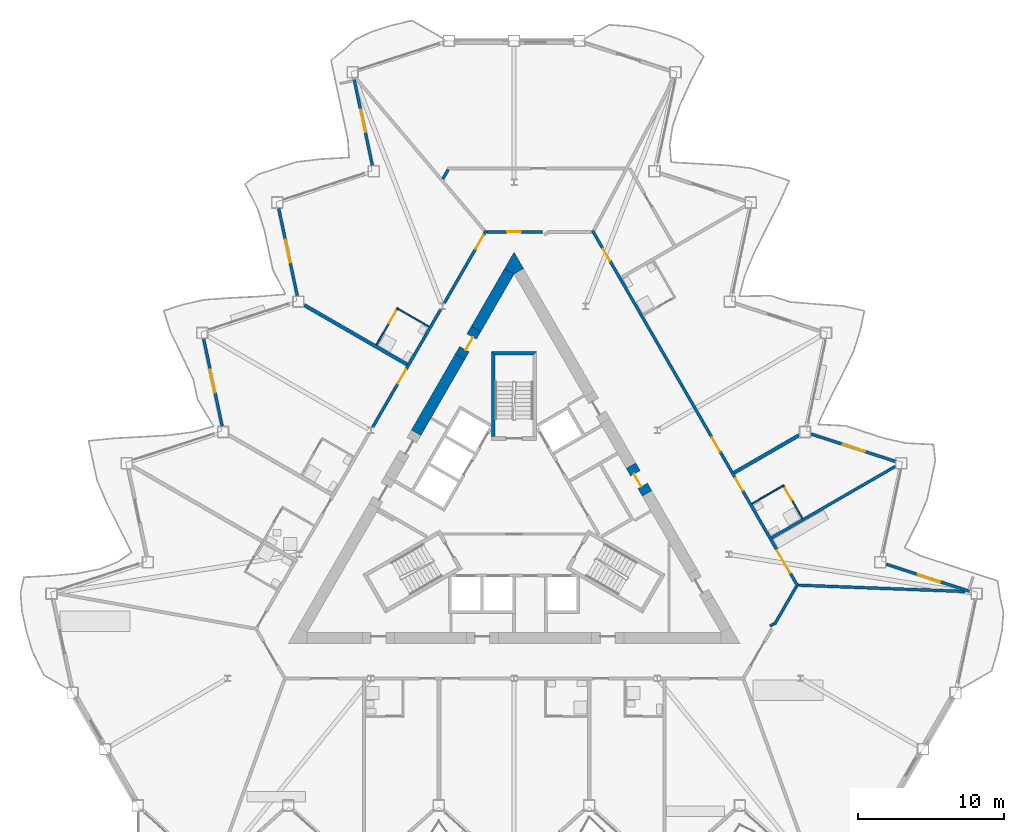
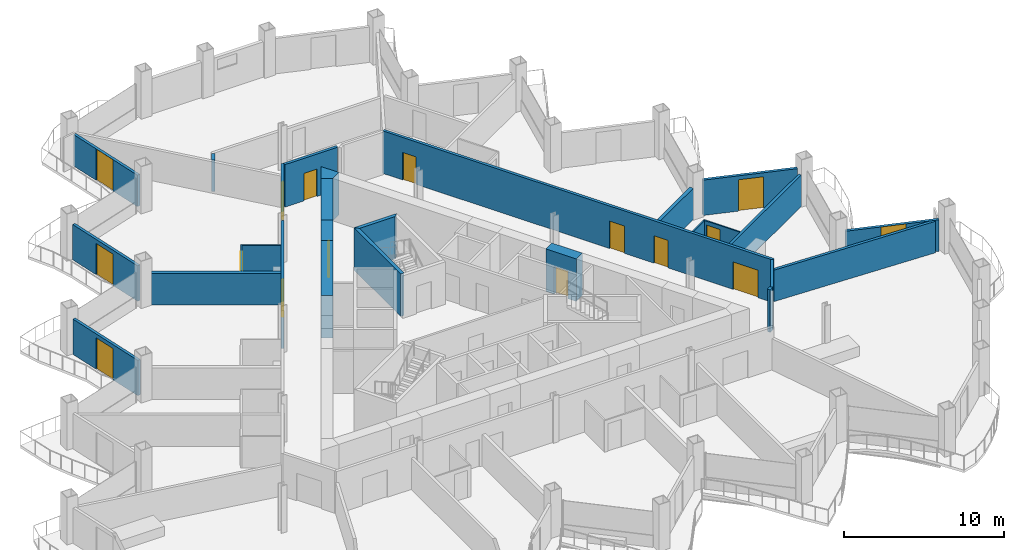
# One storey, part 14 of 23: 27 walls, 16 doors, 16 openings.
"""IFC4 building model written with IfcOpenShell, lengths in metres."""

from ifc_helpers import new_model, si_unit, direction, frame, frame_2d, origin, place, context, subcontext, project, spatial, polyline, rectangle, outline, extrude, material, layer, layer_set, type_object, element, fill, save


model = new_model("IFC4")

# Units and contexts
model_context = context("Model", 3, precision=1e-05, world=origin(), true_north=direction((0.0, 1.0)))
body_context = subcontext(model_context, "Body", "Model", "MODEL_VIEW")
ifc_project = project(units=[si_unit("LENGTHUNIT", "METRE"), si_unit("AREAUNIT", "SQUARE_METRE"), si_unit("VOLUMEUNIT", "CUBIC_METRE"), si_unit("PLANEANGLEUNIT", "RADIAN"), si_unit("MASSUNIT", "GRAM", prefix="KILO")], contexts=[model_context])

# Site, building, storey
site_placement = place(None, origin())
site = spatial("IfcSite", under=ifc_project, at=site_placement, CompositionType="ELEMENT")
building_placement = place(site_placement, origin())
building = spatial("IfcBuilding", under=site, at=building_placement, Name="Cormorant Prow Tower", CompositionType="ELEMENT")
storey_placement = place(building_placement, frame((0.0, 0.0, 212.39990234375)))
storey = spatial("IfcBuildingStorey", under=building, at=storey_placement, Name="L47", CompositionType="ELEMENT", Elevation=212.39990234375)

# Walls
ifc_material_1 = material(Name="Concrete 8000 psi", Category="concrete")
ifc_layer_1 = layer(ifc_material_1, 0.75)
ifc_layer_set_1 = layer_set([ifc_layer_1], Name="Concrete 8000 psi")
wall_type_1 = type_object("IfcWallType", Name="Core shear wall 750", PredefinedType="SHEAR", material=ifc_layer_set_1)
wall_1_placement = place(storey_placement, frame((-3.70849609375, 10.724365234375, 0.0), z_axis=(0.0, 0.0, 1.0), x_axis=(-0.500021737671, -0.866012853171, 0.0)))
element("IfcWall", 1, at=wall_1_placement, inside=storey, type_object=wall_type_1, Name="Core wall", PredefinedType="SHEAR", context=body_context, shape_type="SweptSolid", body=[
    extrude(rectangle(XDim=6.025634765625, YDim=0.75, at=frame_2d((3.0126953125, 0.0))), origin(), (0.0, 0.0, 1.0), 3.25),
])
wall_2_placement = place(storey_placement, frame((-0.32470703125, 16.58544921875, 0.0), z_axis=(0.0, 0.0, 1.0), x_axis=(-0.499984617099, -0.866034284924, 0.0)))
element("IfcWall", 2, at=wall_2_placement, inside=storey, type_object=wall_type_1, Name="Core wall", PredefinedType="SHEAR", context=body_context, shape_type="SweptSolid", body=[
    extrude(rectangle(XDim=4.568115234375, YDim=0.75, at=frame_2d((2.2841796875, 0.0))), origin(), (0.0, 0.0, 1.0), 3.25),
])
wall_3_placement = place(storey_placement, origin())
element("IfcWall", 3, at=wall_3_placement, inside=storey, type_object=wall_type_1, Name="Core wall corner", PredefinedType="SHEAR", context=body_context, shape_type="SweptSolid", body=[
    extrude(outline(polyline([(-0.6494140625, 16.77294921875), (0.0, 17.89794921875), (0.6494140625, 16.77294921875), (0.0, 16.39794921875), (-0.6494140625, 16.77294921875)])), origin(), (0.0, 0.0, 1.0), 3.25),
])

# Wall, opening, door
wall_4_placement = place(storey_placement, frame((9.125244140625, 1.342529296875, 0.0), z_axis=(0.0, 0.0, 1.0), x_axis=(-0.499946605688, 0.86605622881, 0.0)))
wall_4 = element("IfcWall", 4, at=wall_4_placement, inside=storey, type_object=wall_type_1, Name="Core wall door panel", PredefinedType="SHEAR", context=body_context, shape_type="SweptSolid", body=[
    extrude(rectangle(XDim=2.199951171875, YDim=0.75, at=frame_2d((1.10009765625, 0.0))), origin(), (0.0, 0.0, 1.0), 3.25),
])
opening_1_placement = place(wall_4_placement, frame((0.60009765625, 0.0, 0.0)))
opening_1 = element("IfcOpeningElement", 5, at=opening_1_placement, cuts=wall_4, Name="Opening L47-C18", PredefinedType="OPENING", context=body_context, shape_type="SweptSolid", body=[
    extrude(rectangle(XDim=1.0, YDim=2.10009765625, at=frame_2d((0.5, 1.050048828125))), frame((0.0, 0.385009765625, 0.0), z_axis=(0.0, -1.0, 0.0), x_axis=(1.0, 0.0, 0.0)), (0.0, 0.0, 1.0), 0.77001953125),
])
ifc_material_2 = material(Name="Painted steel", Category="steel")
door_type_1 = type_object("IfcDoorType", Name="Service door 1000x2100", OperationType="NOTDEFINED", PredefinedType="DOOR", material=ifc_material_2)
door_1_placement = place(opening_1_placement, origin())
door_1 = element("IfcDoor", 6, at=door_1_placement, inside=storey, type_object=door_type_1, Name="Core door, Housekeeping store", OperationType="SINGLE_SWING_RIGHT", OverallHeight=2.10009765625, OverallWidth=1.0, PredefinedType="DOOR", context=body_context, shape_type="SweptSolid", body=[
    extrude(rectangle(XDim=1.0, YDim=2.10009765625, at=frame_2d((0.5, 1.050048828125))), frame((0.0, 0.1298828125, 0.0), z_axis=(0.0, -1.0, 0.0), x_axis=(1.0, 0.0, 0.0)), (0.0, 0.0, 1.0), 0.050048828125),
])
fill(opening_1, door_1)

wall_5_placement = place(storey_placement, frame((-2.608642578125, 12.62939453125, 0.0), z_axis=(0.0, 0.0, 1.0), x_axis=(-0.500077893725, -0.86598042715, 0.0)))
wall_5 = element("IfcWall", 7, at=wall_5_placement, inside=storey, type_object=wall_type_1, Name="Core wall door panel", PredefinedType="SHEAR", context=body_context, shape_type="SweptSolid", body=[
    extrude(rectangle(XDim=2.199951171875, YDim=0.75, at=frame_2d((1.10009765625, 0.0))), origin(), (0.0, 0.0, 1.0), 3.25),
])
opening_2_placement = place(wall_5_placement, frame((0.60009765625, 0.0, 0.0)))
opening_2 = element("IfcOpeningElement", 8, at=opening_2_placement, cuts=wall_5, Name="Opening L47-C21", PredefinedType="OPENING", context=body_context, shape_type="SweptSolid", body=[
    extrude(rectangle(XDim=1.0, YDim=2.10009765625, at=frame_2d((0.5, 1.050048828125))), frame((0.0, 0.385009765625, 0.0), z_axis=(0.0, -1.0, 0.0), x_axis=(1.0, 0.0, 0.0)), (0.0, 0.0, 1.0), 0.77001953125),
])
door_2_placement = place(opening_2_placement, origin())
door_2 = element("IfcDoor", 9, at=door_2_placement, inside=storey, type_object=door_type_1, Name="Core door, Refuse store", OperationType="SINGLE_SWING_LEFT", OverallHeight=2.10009765625, OverallWidth=1.0, PredefinedType="DOOR", context=body_context, shape_type="SweptSolid", body=[
    extrude(rectangle(XDim=1.0, YDim=2.10009765625, at=frame_2d((0.5, 1.050048828125))), frame((0.0, 0.1298828125, 0.0), z_axis=(0.0, -1.0, 0.0), x_axis=(1.0, 0.0, 0.0)), (0.0, 0.0, 1.0), 0.050048828125),
])
fill(opening_2, door_2)

# Wall, openings, doors
ifc_material_3 = material(Name="Gypsum board corridor wall")
ifc_layer_2 = layer(ifc_material_3, 0.199951171875)
ifc_layer_set_2 = layer_set([ifc_layer_2], Name="Gypsum board corridor wall")
wall_type_2 = type_object("IfcWallType", Name="Corridor wall 200", PredefinedType="PARTITIONING", material=ifc_layer_set_2)
wall_6_placement = place(storey_placement, frame((5.377197265625, 19.384521484375, 0.0), z_axis=(0.0, 0.0, 1.0), x_axis=(0.500000757641, -0.86602496636, 0.0)))
wall_6 = element("IfcWall", 10, at=wall_6_placement, inside=storey, type_object=wall_type_2, Name="Corridor wall", PredefinedType="PARTITIONING", context=body_context, shape_type="SweptSolid", body=[
    extrude(rectangle(XDim=28.19775390625, YDim=0.199951171875, at=frame_2d((14.098876953125, 0.0))), origin(), (0.0, 0.0, 1.0), 3.25),
])
opening_3_placement = place(wall_6_placement, frame((25.3447265625, 0.0, 0.0)))
opening_3 = element("IfcOpeningElement", 11, at=opening_3_placement, cuts=wall_6, Name="Opening L47-F10", PredefinedType="OPENING", context=body_context, shape_type="SweptSolid", body=[
    extrude(rectangle(XDim=1.800048828125, YDim=2.10009765625, at=frame_2d((0.89990234375, 1.050048828125))), frame((0.0, 0.10986328125, 0.0), z_axis=(0.0, -1.0, 0.0), x_axis=(1.0, 0.0, 0.0)), (0.0, 0.0, 1.0), 0.219970703125),
])
opening_4_placement = place(wall_6_placement, frame((19.620849609375, 0.0, 0.0)))
opening_4 = element("IfcOpeningElement", 12, at=opening_4_placement, cuts=wall_6, Name="Opening L47-F11", PredefinedType="OPENING", context=body_context, shape_type="SweptSolid", body=[
    extrude(rectangle(XDim=1.0, YDim=2.10009765625, at=frame_2d((0.5, 1.050048828125))), frame((0.0, 0.10986328125, 0.0), z_axis=(0.0, -1.0, 0.0), x_axis=(1.0, 0.0, 0.0)), (0.0, 0.0, 1.0), 0.219970703125),
])
opening_5_placement = place(wall_6_placement, frame((16.409423828125, 0.0, 0.0)))
opening_5 = element("IfcOpeningElement", 13, at=opening_5_placement, cuts=wall_6, Name="Opening L47-F13", PredefinedType="OPENING", context=body_context, shape_type="SweptSolid", body=[
    extrude(rectangle(XDim=1.10009765625, YDim=2.10009765625, at=frame_2d((0.550048828125, 1.050048828125))), frame((0.0, 0.10986328125, 0.0), z_axis=(0.0, -1.0, 0.0), x_axis=(1.0, 0.0, 0.0)), (0.0, 0.0, 1.0), 0.219970703125),
])
opening_6_placement = place(wall_6_placement, frame((1.4521484375, 0.0, 0.0)))
opening_6 = element("IfcOpeningElement", 14, at=opening_6_placement, cuts=wall_6, Name="Opening L47-F15", PredefinedType="OPENING", context=body_context, shape_type="SweptSolid", body=[
    extrude(rectangle(XDim=0.949951171875, YDim=2.10009765625, at=frame_2d((0.47509765625, 1.050048828125))), frame((0.0, 0.10986328125, 0.0), z_axis=(0.0, -1.0, 0.0), x_axis=(1.0, 0.0, 0.0)), (0.0, 0.0, 1.0), 0.219970703125),
])
ifc_material_4 = material(Name="Timber door leaf", Category="wood")
door_type_2 = type_object("IfcDoorType", Name="Double door 1800x2100", OperationType="DOUBLE_DOOR_SINGLE_SWING", PredefinedType="DOOR", material=ifc_material_4)
door_3_placement = place(opening_3_placement, origin())
door_3 = element("IfcDoor", 15, at=door_3_placement, inside=storey, type_object=door_type_2, Name="Library lounge door", OperationType="DOUBLE_DOOR_SINGLE_SWING", OverallHeight=2.10009765625, OverallWidth=1.800048828125, PredefinedType="DOOR", context=body_context, shape_type="SweptSolid", body=[
    extrude(rectangle(XDim=1.800048828125, YDim=2.10009765625, at=frame_2d((0.89990234375, 1.050048828125))), frame((0.0, 0.02490234375, 0.0), z_axis=(0.0, -1.0, 0.0), x_axis=(1.0, 0.0, 0.0)), (0.0, 0.0, 1.0), 0.050048828125),
])
fill(opening_3, door_3)
ifc_material_5 = material(Name="Timber door leaf", Category="wood")
door_type_3 = type_object("IfcDoorType", Name="Flat or room entrance door 1000x2100", OperationType="NOTDEFINED", PredefinedType="DOOR", material=ifc_material_5)
door_4_placement = place(opening_4_placement, origin())
door_4 = element("IfcDoor", 16, at=door_4_placement, inside=storey, type_object=door_type_3, Name="Guest room door", OperationType="SINGLE_SWING_LEFT", OverallHeight=2.10009765625, OverallWidth=1.0, PredefinedType="DOOR", context=body_context, shape_type="SweptSolid", body=[
    extrude(rectangle(XDim=1.0, YDim=2.10009765625, at=frame_2d((0.5, 1.050048828125))), frame((0.0, 0.02490234375, 0.0), z_axis=(0.0, -1.0, 0.0), x_axis=(1.0, 0.0, 0.0)), (0.0, 0.0, 1.0), 0.050048828125),
])
fill(opening_4, door_4)
ifc_material_6 = material(Name="Timber door leaf", Category="wood")
door_type_4 = type_object("IfcDoorType", Name="Store door 950x2100", OperationType="NOTDEFINED", PredefinedType="DOOR", material=ifc_material_6)
door_5_placement = place(opening_6_placement, origin())
door_5 = element("IfcDoor", 17, at=door_5_placement, inside=storey, type_object=door_type_4, Name="Housekeeping room door", OperationType="SINGLE_SWING_RIGHT", OverallHeight=2.10009765625, OverallWidth=0.949951171875, PredefinedType="DOOR", context=body_context, shape_type="SweptSolid", body=[
    extrude(rectangle(XDim=0.949951171875, YDim=2.10009765625, at=frame_2d((0.47509765625, 1.050048828125))), frame((0.0, 0.02490234375, 0.0), z_axis=(0.0, -1.0, 0.0), x_axis=(1.0, 0.0, 0.0)), (0.0, 0.0, 1.0), 0.050048828125),
])
fill(opening_6, door_5)
ifc_material_7 = material(Name="Timber door leaf", Category="wood")
door_type_5 = type_object("IfcDoorType", Name="Suite entrance door 1100x2100", OperationType="NOTDEFINED", PredefinedType="DOOR", material=ifc_material_7)
door_6_placement = place(opening_5_placement, origin())
door_6 = element("IfcDoor", 18, at=door_6_placement, inside=storey, type_object=door_type_5, Name="Executive suite bedroom door", OperationType="SINGLE_SWING_LEFT", OverallHeight=2.10009765625, OverallWidth=1.10009765625, PredefinedType="DOOR", context=body_context, shape_type="SweptSolid", body=[
    extrude(rectangle(XDim=1.10009765625, YDim=2.10009765625, at=frame_2d((0.550048828125, 1.050048828125))), frame((0.0, 0.02490234375, 0.0), z_axis=(0.0, -1.0, 0.0), x_axis=(1.0, 0.0, 0.0)), (0.0, 0.0, 1.0), 0.050048828125),
])
fill(opening_5, door_6)

# Wall, opening, door
wall_7_placement = place(storey_placement, frame((-9.705078125, 5.88818359375, 0.0), z_axis=(0.0, 0.0, 1.0), x_axis=(0.50000393355, 0.866023132736, 0.0)))
wall_7 = element("IfcWall", 19, at=wall_7_placement, inside=storey, type_object=wall_type_2, Name="Corridor wall", PredefinedType="PARTITIONING", context=body_context, shape_type="SweptSolid", body=[
    extrude(rectangle(XDim=9.3349609375, YDim=0.199951171875, at=frame_2d((4.66748046875, 0.0))), origin(), (0.0, 0.0, 1.0), 3.25),
])
opening_7_placement = place(wall_7_placement, frame((3.464599609375, 0.0, 0.0)))
opening_7 = element("IfcOpeningElement", 20, at=opening_7_placement, cuts=wall_7, Name="Opening L47-F21", PredefinedType="OPENING", context=body_context, shape_type="SweptSolid", body=[
    extrude(rectangle(XDim=1.10009765625, YDim=2.10009765625, at=frame_2d((0.550048828125, 1.050048828125))), frame((0.0, 0.10986328125, 0.0), z_axis=(0.0, -1.0, 0.0), x_axis=(1.0, 0.0, 0.0)), (0.0, 0.0, 1.0), 0.219970703125),
])
door_7_placement = place(opening_7_placement, origin())
door_7 = element("IfcDoor", 21, at=door_7_placement, inside=storey, type_object=door_type_5, Name="Junior suite door", OperationType="SINGLE_SWING_RIGHT", OverallHeight=2.10009765625, OverallWidth=1.10009765625, PredefinedType="DOOR", context=body_context, shape_type="SweptSolid", body=[
    extrude(rectangle(XDim=1.10009765625, YDim=2.10009765625, at=frame_2d((0.550048828125, 1.050048828125))), frame((0.0, 0.02490234375, 0.0), z_axis=(0.0, -1.0, 0.0), x_axis=(1.0, 0.0, 0.0)), (0.0, 0.0, 1.0), 0.050048828125),
])
fill(opening_7, door_7)

wall_8_placement = place(storey_placement, frame((-4.791015625, 14.39990234375, 0.0), z_axis=(0.0, 0.0, 1.0), x_axis=(0.50000762079, 0.866021003874, 0.0)))
wall_8 = element("IfcWall", 22, at=wall_8_placement, inside=storey, type_object=wall_type_2, Name="Corridor wall", PredefinedType="PARTITIONING", context=body_context, shape_type="SweptSolid", body=[
    extrude(rectangle(XDim=5.755859375, YDim=0.199951171875, at=frame_2d((2.8779296875, 0.0))), origin(), (0.0, 0.0, 1.0), 3.25),
])
opening_8_placement = place(wall_8_placement, frame((4.304443359375, 0.0, 0.0)))
opening_8 = element("IfcOpeningElement", 23, at=opening_8_placement, cuts=wall_8, Name="Opening L47-F19", PredefinedType="OPENING", context=body_context, shape_type="SweptSolid", body=[
    extrude(rectangle(XDim=1.10009765625, YDim=2.10009765625, at=frame_2d((0.550048828125, 1.050048828125))), frame((0.0, 0.10986328125, 0.0), z_axis=(0.0, -1.0, 0.0), x_axis=(1.0, 0.0, 0.0)), (0.0, 0.0, 1.0), 0.219970703125),
])
door_8_placement = place(opening_8_placement, origin())
door_8 = element("IfcDoor", 24, at=door_8_placement, inside=storey, type_object=door_type_5, Name="Executive suite bedroom door", OperationType="SINGLE_SWING_RIGHT", OverallHeight=2.10009765625, OverallWidth=1.10009765625, PredefinedType="DOOR", context=body_context, shape_type="SweptSolid", body=[
    extrude(rectangle(XDim=1.10009765625, YDim=2.10009765625, at=frame_2d((0.550048828125, 1.050048828125))), frame((0.0, 0.02490234375, 0.0), z_axis=(0.0, -1.0, 0.0), x_axis=(1.0, 0.0, 0.0)), (0.0, 0.0, 1.0), 0.050048828125),
])
fill(opening_8, door_8)

wall_9_placement = place(storey_placement, frame((-1.863037109375, 19.2978515625, 0.0), z_axis=(0.0, 0.0, 1.0), x_axis=(1.0, 0.0, 0.0)))
wall_9 = element("IfcWall", 25, at=wall_9_placement, inside=storey, type_object=wall_type_2, Name="Corridor wall", PredefinedType="PARTITIONING", context=body_context, shape_type="SweptSolid", body=[
    extrude(rectangle(XDim=3.825927734375, YDim=0.199951171875, at=frame_2d((1.9130859375, 0.0))), origin(), (0.0, 0.0, 1.0), 3.25),
])
opening_9_placement = place(wall_9_placement, frame((1.38623046875, 0.0, 0.0)))
opening_9 = element("IfcOpeningElement", 26, at=opening_9_placement, cuts=wall_9, Name="Opening L47-F17", PredefinedType="OPENING", context=body_context, shape_type="SweptSolid", body=[
    extrude(rectangle(XDim=0.949951171875, YDim=2.10009765625, at=frame_2d((0.47509765625, 1.050048828125))), frame((0.0, 0.10986328125, 0.0), z_axis=(0.0, -1.0, 0.0), x_axis=(1.0, 0.0, 0.0)), (0.0, 0.0, 1.0), 0.219970703125),
])
door_9_placement = place(opening_9_placement, origin())
door_9 = element("IfcDoor", 27, at=door_9_placement, inside=storey, type_object=door_type_4, Name="Guest pantry door", OperationType="SINGLE_SWING_RIGHT", OverallHeight=2.10009765625, OverallWidth=0.949951171875, PredefinedType="DOOR", context=body_context, shape_type="SweptSolid", body=[
    extrude(rectangle(XDim=0.949951171875, YDim=2.10009765625, at=frame_2d((0.47509765625, 1.050048828125))), frame((0.0, 0.02490234375, 0.0), z_axis=(0.0, -1.0, 0.0), x_axis=(1.0, 0.0, 0.0)), (0.0, 0.0, 1.0), 0.050048828125),
])
fill(opening_9, door_9)

# Walls
wall_10_placement = place(storey_placement, frame((17.875, -7.635498046875, 0.0), z_axis=(0.0, 0.0, 1.0), x_axis=(0.499952404951, 0.866052881055, 0.0)))
element("IfcWall", 28, at=wall_10_placement, inside=storey, type_object=wall_type_2, Name="Corridor wall", PredefinedType="PARTITIONING", context=body_context, shape_type="SweptSolid", body=[
    extrude(rectangle(XDim=3.002197265625, YDim=0.199951171875, at=frame_2d((1.5009765625, 0.0))), origin(), (0.0, 0.0, 1.0), 3.25),
])
wall_11_placement = place(storey_placement, frame((17.56982421875, -7.75390625, 0.0), z_axis=(0.0, 0.0, 1.0), x_axis=(0.866054481515, 0.499949632511, 0.0)))
element("IfcWall", 29, at=wall_11_placement, inside=storey, type_object=wall_type_2, Name="Corridor wall", PredefinedType="PARTITIONING", context=body_context, shape_type="SweptSolid", body=[
    extrude(rectangle(XDim=0.31005859375, YDim=0.199951171875, at=frame_2d((0.155029296875, 0.0))), origin(), (0.0, 0.0, 1.0), 3.25),
])
ifc_material_8 = material(Name="Gypsum board demising wall")
ifc_layer_3 = layer(ifc_material_8, 0.199951171875)
ifc_layer_set_3 = layer_set([ifc_layer_3], Name="Gypsum board demising wall")
wall_type_3 = type_object("IfcWallType", Name="Demising wall 200", PredefinedType="PARTITIONING", material=ifc_layer_set_3)
wall_12_placement = place(storey_placement, frame((19.52587890625, -4.95263671875, 0.0), z_axis=(0.0, 0.0, 1.0), x_axis=(0.999279155663, -0.037962732475, 0.0)))
element("IfcWall", 30, at=wall_12_placement, inside=storey, type_object=wall_type_3, Name="Demising wall", PredefinedType="PARTITIONING", context=body_context, shape_type="SweptSolid", body=[
    extrude(rectangle(XDim=11.421630859375, YDim=0.199951171875, at=frame_2d((5.7109375, 0.0))), origin(), (0.0, 0.0, 1.0), 2.404296875),
])
wall_13_placement = place(storey_placement, frame((17.668701171875, -1.705322265625, 0.0), z_axis=(0.0, 0.0, 1.0), x_axis=(0.866032243237, 0.499988153533, 0.0)))
element("IfcWall", 31, at=wall_13_placement, inside=storey, type_object=wall_type_3, Name="Demising wall", PredefinedType="PARTITIONING", context=body_context, shape_type="SweptSolid", body=[
    extrude(rectangle(XDim=9.809814453125, YDim=0.199951171875, at=frame_2d((4.90478515625, 0.0))), origin(), (0.0, 0.0, 1.0), 2.404296875),
])
wall_14_placement = place(storey_placement, frame((-4.893798828125, 22.921630859375, 0.0), z_axis=(0.0, 0.0, 1.0), x_axis=(0.500084850412, 0.865976409834, 0.0)))
element("IfcWall", 32, at=wall_14_placement, inside=storey, type_object=wall_type_3, Name="Demising wall", PredefinedType="PARTITIONING", context=body_context, shape_type="SweptSolid", body=[
    extrude(rectangle(XDim=0.738525390625, YDim=0.199951171875, at=frame_2d((0.369140625, 0.0))), origin(), (0.0, 0.0, 1.0), 2.404296875),
])

# Wall, opening, door
ifc_material_9 = material(Name="Gypsum board partition")
ifc_layer_4 = layer(ifc_material_9, 0.10009765625)
ifc_layer_set_4 = layer_set([ifc_layer_4], Name="Gypsum board partition")
wall_type_4 = type_object("IfcWallType", Name="Internal partition 100", PredefinedType="PARTITIONING", material=ifc_layer_set_4)
wall_15_placement = place(storey_placement, frame((-9.439697265625, 11.547607421875, 0.0), z_axis=(0.0, 0.0, 1.0), x_axis=(0.499963291492, 0.866046596414, 0.0)))
wall_15 = element("IfcWall", 33, at=wall_15_placement, inside=storey, type_object=wall_type_4, Name="Internal partition", PredefinedType="PARTITIONING", context=body_context, shape_type="SweptSolid", body=[
    extrude(rectangle(XDim=2.925048828125, YDim=0.10009765625, at=frame_2d((1.46240234375, 0.0))), origin(), (0.0, 0.0, 1.0), 2.404296875),
])
opening_10_placement = place(wall_15_placement, frame((1.72509765625, 0.0, 0.0)))
opening_10 = element("IfcOpeningElement", 34, at=opening_10_placement, cuts=wall_15, Name="Opening L47-F20", PredefinedType="OPENING", context=body_context, shape_type="SweptSolid", body=[
    extrude(rectangle(XDim=0.949951171875, YDim=2.10009765625, at=frame_2d((0.47509765625, 1.050048828125))), frame((0.0, 0.06005859375, 0.0), z_axis=(0.0, -1.0, 0.0), x_axis=(1.0, 0.0, 0.0)), (0.0, 0.0, 1.0), 0.1201171875),
])
ifc_material_10 = material(Name="Timber door leaf", Category="wood")
door_type_6 = type_object("IfcDoorType", Name="Bathroom door 950x2100", OperationType="NOTDEFINED", PredefinedType="DOOR", material=ifc_material_10)
door_10_placement = place(opening_10_placement, origin())
door_10 = element("IfcDoor", 35, at=door_10_placement, inside=storey, type_object=door_type_6, Name="Executive suite bedroom door", OperationType="SINGLE_SWING_RIGHT", OverallHeight=2.10009765625, OverallWidth=0.949951171875, PredefinedType="DOOR", context=body_context, shape_type="SweptSolid", body=[
    extrude(rectangle(XDim=0.949951171875, YDim=2.10009765625, at=frame_2d((0.47509765625, 1.050048828125))), frame((0.0, 0.02490234375, 0.0), z_axis=(0.0, -1.0, 0.0), x_axis=(1.0, 0.0, 0.0)), (0.0, 0.0, 1.0), 0.050048828125),
])
fill(opening_10, door_10)

wall_16_placement = place(storey_placement, frame((18.458740234375, 1.92626953125, 0.0), z_axis=(0.0, 0.0, 1.0), x_axis=(0.499953715521, -0.866052124492, 0.0)))
wall_16 = element("IfcWall", 36, at=wall_16_placement, inside=storey, type_object=wall_type_4, Name="Internal partition", PredefinedType="PARTITIONING", context=body_context, shape_type="SweptSolid", body=[
    extrude(rectangle(XDim=2.650146484375, YDim=0.10009765625, at=frame_2d((1.3251953125, 0.0))), origin(), (0.0, 0.0, 1.0), 2.404296875),
])
opening_11_placement = place(wall_16_placement, frame((0.25, 0.0, 0.0)))
opening_11 = element("IfcOpeningElement", 37, at=opening_11_placement, cuts=wall_16, Name="Opening L47-F12", PredefinedType="OPENING", context=body_context, shape_type="SweptSolid", body=[
    extrude(rectangle(XDim=0.949951171875, YDim=2.10009765625, at=frame_2d((0.47509765625, 1.050048828125))), frame((0.0, 0.06005859375, 0.0), z_axis=(0.0, -1.0, 0.0), x_axis=(1.0, 0.0, 0.0)), (0.0, 0.0, 1.0), 0.1201171875),
])
door_11_placement = place(opening_11_placement, origin())
door_11 = element("IfcDoor", 38, at=door_11_placement, inside=storey, type_object=door_type_6, Name="Guest room door", OperationType="SINGLE_SWING_LEFT", OverallHeight=2.10009765625, OverallWidth=0.949951171875, PredefinedType="DOOR", context=body_context, shape_type="SweptSolid", body=[
    extrude(rectangle(XDim=0.949951171875, YDim=2.10009765625, at=frame_2d((0.47509765625, 1.050048828125))), frame((0.0, 0.02490234375, 0.0), z_axis=(0.0, -1.0, 0.0), x_axis=(1.0, 0.0, 0.0)), (0.0, 0.0, 1.0), 0.050048828125),
])
fill(opening_11, door_11)

# Walls
for number, where, z_axis, x_axis, name in (
    (39, (16.31884765625, 0.6328125, 0.0), (0.0, 0.0, 1.0), (0.865989751695, 0.500061746146, 0.0), "Internal partition"),
    (40, (-7.958984375, 14.012451171875, 0.0), (0.0, 0.0, 1.0), (0.866057815567, -0.499943856944, 0.0), "Internal partition"),
):
    element("IfcWall", number, at=place(storey_placement, frame(where, z_axis=z_axis, x_axis=x_axis)), inside=storey, type_object=wall_type_4, Name=name, PredefinedType="PARTITIONING", context=body_context, shape_type="SweptSolid", body=[
        extrude(rectangle(XDim=2.449951171875, YDim=0.10009765625, at=frame_2d((1.22509765625, 0.0))), origin(), (0.0, 0.0, 1.0), 2.404296875),
    ])
ifc_material_11 = material(Name="Concrete 8000 psi", Category="concrete")
ifc_layer_5 = layer(ifc_material_11, 0.25)
ifc_layer_set_5 = layer_set([ifc_layer_5], Name="Concrete 8000 psi")
wall_type_5 = type_object("IfcWallType", Name="Stair wall 250", PredefinedType="SHEAR", material=ifc_layer_set_5)
wall_17_placement = place(storey_placement, origin())
element("IfcWall", 41, at=wall_17_placement, inside=storey, type_object=wall_type_5, Name="Stair ST3 enclosure wall (end)", PredefinedType="SHEAR", context=body_context, shape_type="SweptSolid", body=[
    extrude(outline(polyline([(1.5439453125, 11.0869140625), (-1.5439453125, 11.0869140625), (-1.2939453125, 10.8369140625), (1.2939453125, 10.8369140625), (1.5439453125, 11.0869140625)])), origin(), (0.0, 0.0, 1.0), 3.25),
])
wall_18_placement = place(storey_placement, origin())
element("IfcWall", 42, at=wall_18_placement, inside=storey, type_object=wall_type_5, Name="Stair ST3 enclosure wall (flank)", PredefinedType="SHEAR", context=body_context, shape_type="SweptSolid", body=[
    extrude(outline(polyline([(-1.2939453125, 10.8369140625), (-1.5439453125, 11.0869140625), (-1.5439453125, 5.23681640625), (-1.2939453125, 5.23681640625), (-1.2939453125, 10.8369140625)])), origin(), (0.0, 0.0, 1.0), 3.25),
])
ifc_material_12 = material(Name="Acoustic gypsum party wall")
ifc_layer_6 = layer(ifc_material_12, 0.25)
ifc_layer_set_6 = layer_set([ifc_layer_6], Name="Acoustic gypsum party wall")
wall_type_6 = type_object("IfcWallType", Name="Suite party wall 250", PredefinedType="PARTITIONING", material=ifc_layer_set_6)
wall_19_placement = place(storey_placement, frame((-14.389892578125, 14.26123046875, 0.0), z_axis=(0.0, 0.0, 1.0), x_axis=(0.86603182394, -0.4999888798, 0.0)))
element("IfcWall", 43, at=wall_19_placement, inside=storey, type_object=wall_type_6, Name="Suite party wall", PredefinedType="PARTITIONING", context=body_context, shape_type="SweptSolid", body=[
    extrude(rectangle(XDim=8.143798828125, YDim=0.25, at=frame_2d((4.07177734375, 0.0))), origin(), (0.0, 0.0, 1.0), 2.404296875),
])
wall_20_placement = place(storey_placement, frame((15.091064453125, 2.759521484375, 0.0), z_axis=(0.0, 0.0, 1.0), x_axis=(0.866019147368, 0.500010836275, 0.0)))
element("IfcWall", 44, at=wall_20_placement, inside=storey, type_object=wall_type_6, Name="Suite party wall", PredefinedType="PARTITIONING", context=body_context, shape_type="SweptSolid", body=[
    extrude(rectangle(XDim=5.154296875, YDim=0.25, at=frame_2d((2.5771484375, 0.0))), origin(), (0.0, 0.0, 1.0), 2.404296875),
])

# Wall, opening, door
ifc_material_13 = material(Name="Terracotta", Category="masonry")
ifc_layer_7 = layer(ifc_material_13, 0.199951171875)
ifc_layer_set_7 = layer_set([ifc_layer_7], Name="Terracotta")
wall_type_7 = type_object("IfcWallType", Name="Terracotta jamb wall 200", PredefinedType="SOLIDWALL", material=ifc_layer_set_7)
wall_21_placement = place(storey_placement, frame((31.240966796875, -5.36572265625, 0.0), z_axis=(0.0, 0.0, 1.0), x_axis=(-0.951052669354, 0.309028833792, 0.0)))
wall_21 = element("IfcWall", 45, at=wall_21_placement, inside=storey, type_object=wall_type_7, Name="Terracotta jamb wall ENE01", PredefinedType="SOLIDWALL", context=body_context, shape_type="SweptSolid", body=[
    extrude(rectangle(XDim=5.979736328125, YDim=0.199951171875, at=frame_2d((2.98974609375, 0.0))), origin(), (0.0, 0.0, 1.0), 2.404296875),
])
opening_12_placement = place(wall_21_placement, frame((2.100830078125, 0.0, 0.0)))
opening_12 = element("IfcOpeningElement", 46, at=opening_12_placement, cuts=wall_21, Name="Opening ED47.06", PredefinedType="OPENING", context=body_context, shape_type="SweptSolid", body=[
    extrude(rectangle(XDim=1.60009765625, YDim=2.39990234375, at=frame_2d((0.800048828125, 1.199951171875))), frame((0.0, 0.10986328125, 0.0), z_axis=(0.0, -1.0, 0.0), x_axis=(1.0, 0.0, 0.0)), (0.0, 0.0, 1.0), 0.219970703125),
])
ifc_material_14 = material(Name="Aluminium 6063-T6", Category="aluminium")
door_type_7 = type_object("IfcDoorType", Name="Balcony door 1600x2400", OperationType="DOUBLE_DOOR_SINGLE_SWING", PredefinedType="DOOR", material=ifc_material_14)
door_12_placement = place(opening_12_placement, origin())
door_12 = element("IfcDoor", 47, at=door_12_placement, inside=storey, type_object=door_type_7, Name="Balcony door ENE01 ED47.06", OperationType="DOUBLE_DOOR_SINGLE_SWING", OverallHeight=2.39990234375, OverallWidth=1.60009765625, PredefinedType="DOOR", context=body_context, shape_type="SweptSolid", body=[
    extrude(rectangle(XDim=1.60009765625, YDim=2.39990234375, at=frame_2d((0.800048828125, 1.199951171875))), frame((0.0, 0.02490234375, 0.0), z_axis=(0.0, -1.0, 0.0), x_axis=(1.0, 0.0, 0.0)), (0.0, 0.0, 1.0), 0.050048828125),
])
fill(opening_12, door_12)

wall_22_placement = place(storey_placement, frame((26.1494140625, 3.543212890625, 0.0), z_axis=(0.0, 0.0, 1.0), x_axis=(-0.951054506932, 0.309023178491, 0.0)))
wall_22 = element("IfcWall", 48, at=wall_22_placement, inside=storey, type_object=wall_type_7, Name="Terracotta jamb wall ENE03", PredefinedType="SOLIDWALL", context=body_context, shape_type="SweptSolid", body=[
    extrude(rectangle(XDim=6.056396484375, YDim=0.199951171875, at=frame_2d((3.0283203125, 0.0))), origin(), (0.0, 0.0, 1.0), 2.700927734375),
])
opening_13_placement = place(wall_22_placement, frame((2.168212890625, 0.0, 0.0)))
opening_13 = element("IfcOpeningElement", 49, at=opening_13_placement, cuts=wall_22, Name="Opening ED47.07", PredefinedType="OPENING", context=body_context, shape_type="SweptSolid", body=[
    extrude(rectangle(XDim=1.60009765625, YDim=2.39990234375, at=frame_2d((0.800048828125, 1.199951171875))), frame((0.0, 0.10986328125, 0.0), z_axis=(0.0, -1.0, 0.0), x_axis=(1.0, 0.0, 0.0)), (0.0, 0.0, 1.0), 0.219970703125),
])
door_13_placement = place(opening_13_placement, origin())
door_13 = element("IfcDoor", 50, at=door_13_placement, inside=storey, type_object=door_type_7, Name="Balcony door ENE03 ED47.07", OperationType="DOUBLE_DOOR_SINGLE_SWING", OverallHeight=2.39990234375, OverallWidth=1.60009765625, PredefinedType="DOOR", context=body_context, shape_type="SweptSolid", body=[
    extrude(rectangle(XDim=1.60009765625, YDim=2.39990234375, at=frame_2d((0.800048828125, 1.199951171875))), frame((0.0, 0.02490234375, 0.0), z_axis=(0.0, -1.0, 0.0), x_axis=(1.0, 0.0, 0.0)), (0.0, 0.0, 1.0), 0.050048828125),
])
fill(opening_13, door_13)

wall_23_placement = place(storey_placement, frame((-10.9736328125, 29.73828125, 0.0), z_axis=(0.0, 0.0, 1.0), x_axis=(0.207888934452, -0.978152437472, 0.0)))
wall_23 = element("IfcWall", 51, at=wall_23_placement, inside=storey, type_object=wall_type_7, Name="Terracotta jamb wall WNW01", PredefinedType="SOLIDWALL", context=body_context, shape_type="SweptSolid", body=[
    extrude(rectangle(XDim=5.998779296875, YDim=0.199951171875, at=frame_2d((2.99951171875, 0.0))), origin(), (0.0, 0.0, 1.0), 2.404296875),
])
opening_14_placement = place(wall_23_placement, frame((2.100830078125, 0.0, 0.0)))
opening_14 = element("IfcOpeningElement", 52, at=opening_14_placement, cuts=wall_23, Name="Opening ED47.11", PredefinedType="OPENING", context=body_context, shape_type="SweptSolid", body=[
    extrude(rectangle(XDim=1.60009765625, YDim=2.39990234375, at=frame_2d((0.800048828125, 1.199951171875))), frame((0.0, 0.10986328125, 0.0), z_axis=(0.0, -1.0, 0.0), x_axis=(1.0, 0.0, 0.0)), (0.0, 0.0, 1.0), 0.219970703125),
])
door_14_placement = place(opening_14_placement, origin())
door_14 = element("IfcDoor", 53, at=door_14_placement, inside=storey, type_object=door_type_7, Name="Balcony door WNW01 ED47.11", OperationType="DOUBLE_DOOR_SINGLE_SWING", OverallHeight=2.39990234375, OverallWidth=1.60009765625, PredefinedType="DOOR", context=body_context, shape_type="SweptSolid", body=[
    extrude(rectangle(XDim=1.60009765625, YDim=2.39990234375, at=frame_2d((0.800048828125, 1.199951171875))), frame((0.0, 0.02490234375, 0.0), z_axis=(0.0, -1.0, 0.0), x_axis=(1.0, 0.0, 0.0)), (0.0, 0.0, 1.0), 0.050048828125),
])
fill(opening_14, door_14)

wall_24_placement = place(storey_placement, frame((-16.146484375, 20.8896484375, 0.0), z_axis=(0.0, 0.0, 1.0), x_axis=(0.207912864597, -0.978147351238, 0.0)))
wall_24 = element("IfcWall", 54, at=wall_24_placement, inside=storey, type_object=wall_type_7, Name="Terracotta jamb wall WNW03", PredefinedType="SOLIDWALL", context=body_context, shape_type="SweptSolid", body=[
    extrude(rectangle(XDim=6.097900390625, YDim=0.199951171875, at=frame_2d((3.048828125, 0.0))), origin(), (0.0, 0.0, 1.0), 2.700927734375),
])
opening_15_placement = place(wall_24_placement, frame((2.183837890625, 0.0, 0.0)))
opening_15 = element("IfcOpeningElement", 55, at=opening_15_placement, cuts=wall_24, Name="Opening ED47.12", PredefinedType="OPENING", context=body_context, shape_type="SweptSolid", body=[
    extrude(rectangle(XDim=1.60009765625, YDim=2.39990234375, at=frame_2d((0.800048828125, 1.199951171875))), frame((0.0, 0.10986328125, 0.0), z_axis=(0.0, -1.0, 0.0), x_axis=(1.0, 0.0, 0.0)), (0.0, 0.0, 1.0), 0.219970703125),
])
door_15_placement = place(opening_15_placement, origin())
door_15 = element("IfcDoor", 56, at=door_15_placement, inside=storey, type_object=door_type_7, Name="Balcony door WNW03 ED47.12", OperationType="DOUBLE_DOOR_SINGLE_SWING", OverallHeight=2.39990234375, OverallWidth=1.60009765625, PredefinedType="DOOR", context=body_context, shape_type="SweptSolid", body=[
    extrude(rectangle(XDim=1.60009765625, YDim=2.39990234375, at=frame_2d((0.800048828125, 1.199951171875))), frame((0.0, 0.02490234375, 0.0), z_axis=(0.0, -1.0, 0.0), x_axis=(1.0, 0.0, 0.0)), (0.0, 0.0, 1.0), 0.050048828125),
])
fill(opening_15, door_15)

wall_25_placement = place(storey_placement, frame((-21.298828125, 11.944091796875, 0.0), z_axis=(0.0, 0.0, 1.0), x_axis=(0.207912864597, -0.978147351238, 0.0)))
wall_25 = element("IfcWall", 57, at=wall_25_placement, inside=storey, type_object=wall_type_7, Name="Terracotta jamb wall WNW05", PredefinedType="SOLIDWALL", context=body_context, shape_type="SweptSolid", body=[
    extrude(rectangle(XDim=6.097900390625, YDim=0.199951171875, at=frame_2d((3.048828125, 0.0))), origin(), (0.0, 0.0, 1.0), 2.700927734375),
])
opening_16_placement = place(wall_25_placement, frame((2.167724609375, 0.0, 0.0)))
opening_16 = element("IfcOpeningElement", 58, at=opening_16_placement, cuts=wall_25, Name="Opening ED47.13", PredefinedType="OPENING", context=body_context, shape_type="SweptSolid", body=[
    extrude(rectangle(XDim=1.60009765625, YDim=2.39990234375, at=frame_2d((0.800048828125, 1.199951171875))), frame((0.0, 0.10986328125, 0.0), z_axis=(0.0, -1.0, 0.0), x_axis=(1.0, 0.0, 0.0)), (0.0, 0.0, 1.0), 0.219970703125),
])
door_16_placement = place(opening_16_placement, origin())
door_16 = element("IfcDoor", 59, at=door_16_placement, inside=storey, type_object=door_type_7, Name="Balcony door WNW05 ED47.13", OperationType="DOUBLE_DOOR_SINGLE_SWING", OverallHeight=2.39990234375, OverallWidth=1.60009765625, PredefinedType="DOOR", context=body_context, shape_type="SweptSolid", body=[
    extrude(rectangle(XDim=1.60009765625, YDim=2.39990234375, at=frame_2d((0.800048828125, 1.199951171875))), frame((0.0, 0.02490234375, 0.0), z_axis=(0.0, -1.0, 0.0), x_axis=(1.0, 0.0, 0.0)), (0.0, 0.0, 1.0), 0.050048828125),
])
fill(opening_16, door_16)

save(model, "model.ifc")
